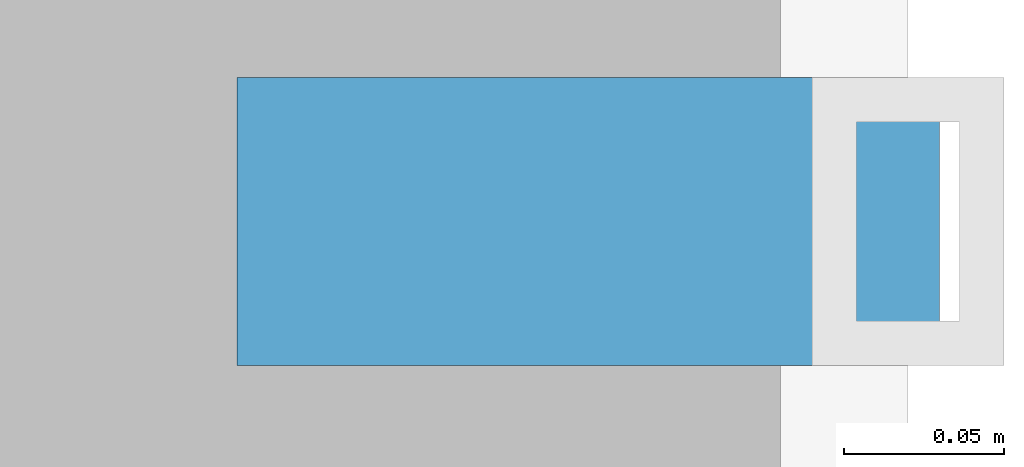
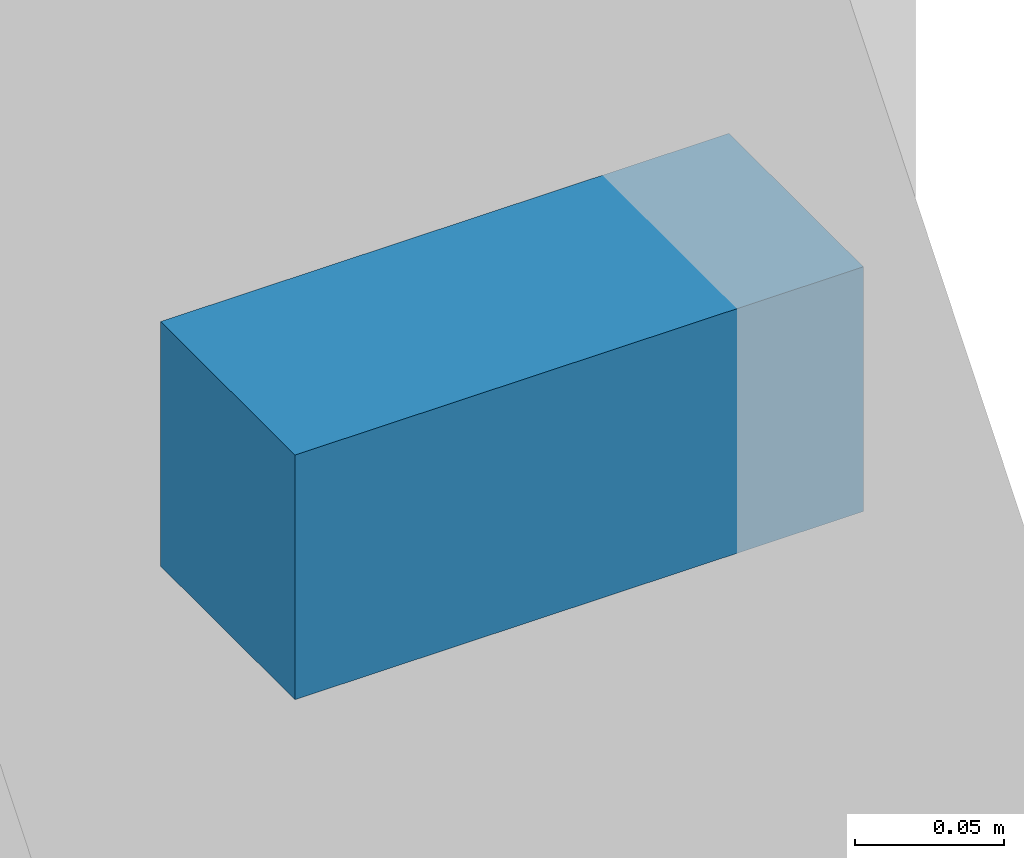
# One storey, part 15 of 28: 1 discrete accessory.
"""IFC4 building model written with IfcOpenShell, lengths in metres."""

import ifcopenshell
import ifcopenshell.guid

model = None  # the IFC model being written
_history = None  # IfcOwnerHistory: only IFC2X3 demands one
_inside = {}  # id of a spatial element -> (the spatial element, [elements in it])
_under = {}  # id of a project, library or spatial element -> (it, [spatial elements below it])
_declared = {}  # id of a project -> (the project, [libraries it declares])
_typed = {}  # id of a type object -> (the type object, [elements of that type])
_made_of = {}  # id of a material, layer set ... -> (it, [elements and type objects made of it])


def new_model(schema):
    """Start an empty IFC model of exactly this schema.

    Asked for "IFC4X3", IfcOpenShell would pick the latest addendum, in which some entities
    have other attributes; the version numbers below select the first issue.
    IFC2X3 requires an IfcOwnerHistory on every rooted entity: one is made here for all.
    """
    global model, _history
    if schema == "IFC4X3":
        model = ifcopenshell.file(schema_version=(4, 3, 0, 0))
    else:
        model = ifcopenshell.file(schema=schema)
    _inside.clear()
    _under.clear()
    _declared.clear()
    _typed.clear()
    _made_of.clear()
    _history = None
    if model.schema == "IFC2X3":
        org = make("IfcOrganization", Name="unknown")
        user = make(
            "IfcPersonAndOrganization",
            ThePerson=make("IfcPerson", FamilyName="unknown"),
            TheOrganization=org,
        )
        app = make(
            "IfcApplication",
            ApplicationDeveloper=org,
            Version="unknown",
            ApplicationFullName="unknown",
            ApplicationIdentifier="unknown",
        )
        _history = make(
            "IfcOwnerHistory",
            OwningUser=user,
            OwningApplication=app,
            ChangeAction="ADDED",
            CreationDate=0,
        )
    return model


def make(cls, **values):
    """One entity of the class cls with the attributes given. An attribute that is None is left unset."""
    return model.create_entity(
        cls, **{name: value for name, value in values.items() if value is not None}
    )


def rooted(cls, **values):
    """An entity with a GlobalId (a new one), such as an element, a storey or a relation."""
    return make(cls, GlobalId=ifcopenshell.guid.new(), OwnerHistory=_history, **values)


def si_unit(unit_type, name, prefix=None):
    """IfcSIUnit, for example si_unit("LENGTHUNIT", "METRE", prefix="MILLI")."""
    return make("IfcSIUnit", UnitType=unit_type, Prefix=prefix, Name=name)


def assignment(units):
    """IfcUnitAssignment: the units of a project."""
    return None if units is None else make("IfcUnitAssignment", Units=units)


def point(xyz):
    """IfcCartesianPoint."""
    return None if xyz is None else make("IfcCartesianPoint", Coordinates=xyz)


def direction(xyz):
    """IfcDirection."""
    return None if xyz is None else make("IfcDirection", DirectionRatios=xyz)


def frame(location, z_axis=None, x_axis=None):
    """IfcAxis2Placement3D, a coordinate frame: its origin and axes. An axis left out is left unset."""
    return make(
        "IfcAxis2Placement3D",
        Location=point(location),
        Axis=direction(z_axis),
        RefDirection=direction(x_axis),
    )


def frame_2d(location, x_axis=None):
    """IfcAxis2Placement2D, a coordinate frame in the plane: its origin and x axis."""
    return make(
        "IfcAxis2Placement2D", Location=point(location), RefDirection=direction(x_axis)
    )


def origin():
    """The frame at (0, 0, 0) with its axes left unset."""
    return frame((0.0, 0.0, 0.0))


def origin_2d():
    """The frame at (0, 0) in the plane with its x axis left unset."""
    return frame_2d((0.0, 0.0))


def place(relative_to, where):
    """IfcLocalPlacement: puts the frame where relative to a parent placement (None: the world)."""
    return make(
        "IfcLocalPlacement", PlacementRelTo=relative_to, RelativePlacement=where
    )


def context(
    kind, dimensions, precision=None, world=None, true_north=None, identifier=None
):
    """IfcGeometricRepresentationContext, for example the 3D "Model" context."""
    return make(
        "IfcGeometricRepresentationContext",
        ContextIdentifier=identifier,
        ContextType=kind,
        CoordinateSpaceDimension=dimensions,
        Precision=precision,
        WorldCoordinateSystem=world,
        TrueNorth=true_north,
    )


def subcontext(parent, identifier, kind, view, scale=None):
    """IfcGeometricRepresentationSubContext, for example "Body" below "Model"."""
    return make(
        "IfcGeometricRepresentationSubContext",
        ContextIdentifier=identifier,
        ContextType=kind,
        ParentContext=parent,
        TargetScale=scale,
        TargetView=view,
    )


def project(units=None, contexts=None):
    """IfcProject with its units and contexts."""
    return rooted(
        "IfcProject",
        Name="project",
        RepresentationContexts=contexts,
        UnitsInContext=assignment(units),
    )


def spatial(cls, under=None, at=None, **own):
    """A site, building, storey or space (cls), placed at a placement, below another one or the project."""
    s = rooted(cls, ObjectPlacement=at, **own)
    if under is not None:
        _under.setdefault(under.id(), (under, []))[1].append(s)
    return s


def profile(cls, at=None, kind="AREA", **sizes):
    """A parametric profile (cls). Its sizes go by their IFC names, for example OverallWidth=200.0."""
    return make(cls, ProfileType=kind, Position=at, **sizes)


def rectangle(**sizes):
    """IfcRectangleProfileDef."""
    return profile("IfcRectangleProfileDef", **sizes)


def extrude(swept, where, along, depth):
    """IfcExtrudedAreaSolid: the profile swept, set in the frame where, extruded along a direction by depth."""
    return make(
        "IfcExtrudedAreaSolid",
        SweptArea=swept,
        Position=where,
        ExtrudedDirection=direction(along),
        Depth=depth,
    )


def shape(context_of_items, identifier, shape_type, items):
    """IfcShapeRepresentation: the items that make up one representation, for example the "Body"."""
    return make(
        "IfcShapeRepresentation",
        ContextOfItems=context_of_items,
        RepresentationIdentifier=identifier,
        RepresentationType=shape_type,
        Items=items,
    )


def material(Name=None, Category=None):
    """IfcMaterial."""
    return make("IfcMaterial", Name=Name, Category=Category)


def made_of(thing, what):
    """Note that an element or type object is made of a material, layer set ...; save() writes the relation."""
    if what is not None:
        _made_of.setdefault(what.id(), (what, []))[1].append(thing)
    return thing


def type_object(cls, material=None, **own):
    """A type object (cls), such as IfcWallType, which elements share."""
    return made_of(rooted(cls, **own), material)


def element(
    cls,
    number,
    at=None,
    inside=None,
    cuts=None,
    type_object=None,
    material=None,
    context=None,
    identifier="Body",
    shape_type=None,
    held_by="IfcProductDefinitionShape",
    body=None,
    shapes=None,
    **own,
):
    """One element of the class cls, such as IfcWall. Its Tag is "e" and its number.

    at: its placement. inside: the storey or other place that contains it. cuts: it is an
    opening in that element (IfcRelVoidsElement). A single representation is given by context,
    identifier, shape_type and body (its items); several are given by shapes. held_by: the class
    of the entity that holds the representations. save() writes the other relations.
    """
    e = rooted(cls, Tag="e%d" % number, ObjectPlacement=at, **own)
    if body is not None:
        shapes = [shape(context, identifier, shape_type, body)]
    if shapes is not None:
        e.Representation = make(held_by, Representations=shapes)
    if inside is not None:
        _inside.setdefault(inside.id(), (inside, []))[1].append(e)
    if cuts is not None:
        rooted(
            "IfcRelVoidsElement", RelatingBuildingElement=cuts, RelatedOpeningElement=e
        )
    if type_object is not None:
        _typed.setdefault(type_object.id(), (type_object, []))[1].append(e)
    return made_of(e, material)


def aggregate(whole, parts):
    """IfcRelAggregates: a whole, such as a stair, and the parts it consists of."""
    return rooted("IfcRelAggregates", RelatingObject=whole, RelatedObjects=parts)


def save(model, path):
    """Write the relations noted so far, then the file.

    IfcRelAggregates (storeys below a building ...), IfcRelContainedInSpatialStructure (elements
    in a storey), IfcRelDefinesByType, IfcRelAssociatesMaterial and IfcRelDeclares: one each for
    every whole, place, type object, material and project.
    """
    for whole, parts in _under.values():
        aggregate(whole, parts)
    for where, things in _inside.values():
        rooted(
            "IfcRelContainedInSpatialStructure",
            RelatedElements=things,
            RelatingStructure=where,
        )
    for kind, things in _typed.values():
        rooted("IfcRelDefinesByType", RelatedObjects=things, RelatingType=kind)
    for what, things in _made_of.values():
        rooted("IfcRelAssociatesMaterial", RelatedObjects=things, RelatingMaterial=what)
    for by, libraries in _declared.values():
        rooted("IfcRelDeclares", RelatingContext=by, RelatedDefinitions=libraries)
    model.write(path)


model = new_model("IFC4")

# Units and contexts
model_context = context("Model", 3, precision=1e-05, world=origin(), true_north=direction((0.0, 1.0)))
body_context = subcontext(model_context, "Body", "Model", "MODEL_VIEW")
ifc_project = project(units=[si_unit("LENGTHUNIT", "METRE"), si_unit("AREAUNIT", "SQUARE_METRE"), si_unit("VOLUMEUNIT", "CUBIC_METRE"), si_unit("PLANEANGLEUNIT", "RADIAN"), si_unit("MASSUNIT", "GRAM", prefix="KILO")], contexts=[model_context])

# Site, building, storey
site_placement = place(None, origin())
site = spatial("IfcSite", under=ifc_project, at=site_placement, CompositionType="ELEMENT")
building_placement = place(site_placement, origin())
building = spatial("IfcBuilding", under=site, at=building_placement, Name="Punatoya Terracotta Tower", CompositionType="ELEMENT")
storey_placement = place(building_placement, frame((0.0, 0.0, 93.0)))
storey = spatial("IfcBuildingStorey", under=building, at=storey_placement, Name="L21", CompositionType="ELEMENT", Elevation=93.0)

# Discrete accessory
ifc_material = material(Name="Steel S355", Category="steel")
discrete_accessory_type = type_object("IfcDiscreteAccessoryType", Name="ACC-BRK-220", PredefinedType="BRACKET", material=ifc_material)
discrete_accessory_placement = place(storey_placement, frame((24.949951171875, -9.093505859375, 1.449951171875), z_axis=(0.0, 0.0, 1.0), x_axis=(0.0, 1.0, 0.0)))
element("IfcDiscreteAccessory", 1, at=discrete_accessory_placement, inside=storey, type_object=discrete_accessory_type, Name="L21 Jali Fin Support Bracket E1", PredefinedType="BRACKET", context=body_context, shape_type="SweptSolid", body=[
    extrude(rectangle(XDim=0.090087890625, YDim=0.219970703125, at=origin_2d()), origin(), (0.0, 0.0, 1.0), 0.10009765625),
])

save(model, "model.ifc")
